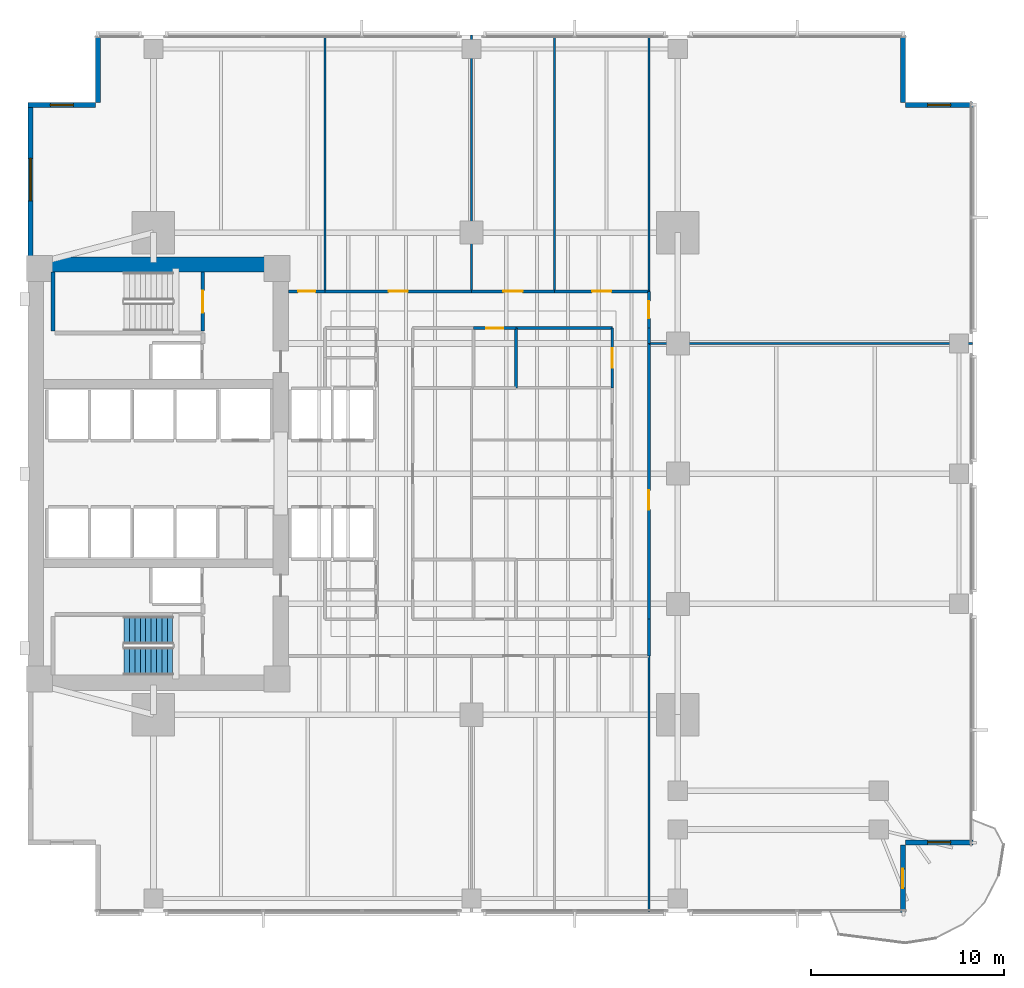
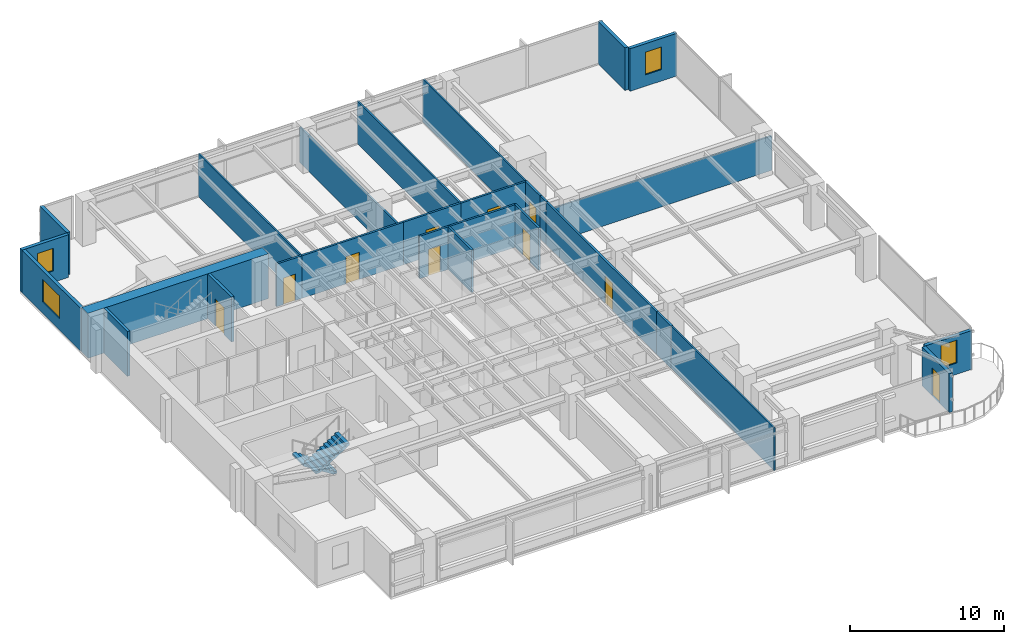
# One storey, part 10 of 15: 28 walls, 10 doors, 4 windows, 2 stair flights, 14 openings, 1 element without a shape of its own.
"""IFC4 building model written with IfcOpenShell, lengths in metres."""

from ifc_helpers import new_model, si_unit, direction, frame, frame_2d, origin, place, context, subcontext, project, spatial, polyline, rectangle, outline, extrude, material, layer, layer_set, type_object, element, fill, aggregate, save


model = new_model("IFC4")

# Units and contexts
model_context = context("Model", 3, precision=1e-05, world=origin(), true_north=direction((0.0, 1.0)))
body_context = subcontext(model_context, "Body", "Model", "MODEL_VIEW")
ifc_project = project(units=[si_unit("LENGTHUNIT", "METRE"), si_unit("AREAUNIT", "SQUARE_METRE"), si_unit("VOLUMEUNIT", "CUBIC_METRE"), si_unit("PLANEANGLEUNIT", "RADIAN"), si_unit("MASSUNIT", "GRAM", prefix="KILO")], contexts=[model_context])

# Site, building, storey
site_placement = place(None, origin())
site = spatial("IfcSite", under=ifc_project, at=site_placement, CompositionType="ELEMENT")
building_placement = place(site_placement, origin())
building = spatial("IfcBuilding", under=site, at=building_placement, Name="Kinhvarn Gate Tower", CompositionType="ELEMENT")
storey_placement = place(building_placement, frame((0.0, 0.0, 71.75)))
storey = spatial("IfcBuildingStorey", under=building, at=storey_placement, Name="L18", CompositionType="ELEMENT", Elevation=71.75)

# Wall
ifc_material_1 = material(Name="Concrete C70/85", Category="concrete")
ifc_layer_1 = layer(ifc_material_1, 0.800048828125)
ifc_layer_set_1 = layer_set([ifc_layer_1], Name="Concrete C70/85")
wall_type_1 = type_object("IfcWallType", Name="WL-CORE-800", PredefinedType="SHEAR", material=ifc_layer_set_1)
wall_1_placement = place(storey_placement, frame((4.5, 36.10009765625, 0.0), z_axis=(0.0, 0.0, 1.0), x_axis=(1.0, 0.0, 0.0)))
element("IfcWall", 1, at=wall_1_placement, inside=storey, type_object=wall_type_1, Name="Core North Shear Wall L18 800 mm", PredefinedType="SHEAR", context=body_context, shape_type="SweptSolid", body=[
    extrude(rectangle(XDim=13.5, YDim=0.800048828125, at=frame_2d((6.75, 0.0))), origin(), (0.0, 0.0, 1.0), 3.550048828125),
])

# Wall, opening, window
ifc_material_2 = material(Name="Fired architectural terracotta", Category="masonry")
ifc_layer_2 = layer(ifc_material_2, 0.25)
ifc_layer_set_2 = layer_set([ifc_layer_2], Name="Fired architectural terracotta")
wall_type_2 = type_object("IfcWallType", Name="WL-EXT-250", PredefinedType="SOLIDWALL", material=ifc_layer_set_2)
wall_2_placement = place(storey_placement, frame((4.625, 44.5, 0.0), z_axis=(0.0, 0.0, 1.0), x_axis=(0.0, -1.0, 0.0)))
wall_2 = element("IfcWall", 2, at=wall_2_placement, inside=storey, type_object=wall_type_2, Name="Exterior Solidwall Wall EW-250 (L18 West-North)", PredefinedType="SOLIDWALL", context=body_context, shape_type="SweptSolid", body=[
    extrude(rectangle(XDim=8.0, YDim=0.25, at=frame_2d((4.0, 0.0))), origin(), (0.0, 0.0, 1.0), 3.3701171875),
])
opening_1_placement = place(wall_2_placement, frame((2.89990234375, 0.0, 0.89990234375)))
opening_1 = element("IfcOpeningElement", 3, at=opening_1_placement, cuts=wall_2, Name="Opening WN-01", PredefinedType="OPENING", context=body_context, shape_type="SweptSolid", body=[
    extrude(rectangle(XDim=2.199951171875, YDim=1.800048828125, at=frame_2d((1.10009765625, 0.89990234375))), frame((0.0, 0.135009765625, 0.0), z_axis=(0.0, -1.0, 0.0), x_axis=(1.0, 0.0, 0.0)), (0.0, 0.0, 1.0), 0.27001953125),
])
ifc_material_3 = material(Name="Clear low-e double glazing", Category="glass")
window_type_1 = type_object("IfcWindowType", Name="WIN-RIB-2200", PartitioningType="SINGLE_PANEL", PredefinedType="WINDOW", material=ifc_material_3)
window_1_placement = place(opening_1_placement, origin())
window_1 = element("IfcWindow", 4, at=window_1_placement, inside=storey, type_object=window_type_1, Name="West Flank Double-Glazed Ribbon Window 2200x1800 mm (L18)", OverallHeight=1.800048828125, OverallWidth=2.199951171875, PartitioningType="SINGLE_PANEL", PredefinedType="WINDOW", context=body_context, shape_type="SweptSolid", body=[
    extrude(rectangle(XDim=2.199951171875, YDim=1.800048828125, at=frame_2d((1.10009765625, 0.89990234375))), frame((0.0, 0.030029296875, 0.0), z_axis=(0.0, -1.0, 0.0), x_axis=(1.0, 0.0, 0.0)), (0.0, 0.0, 1.0), 0.06005859375),
])
fill(opening_1, window_1)

# Wall, opening, door
wall_3_placement = place(storey_placement, frame((49.875, 2.5, 0.0), z_axis=(0.0, 0.0, 1.0), x_axis=(0.0, 1.0, 0.0)))
wall_3 = element("IfcWall", 5, at=wall_3_placement, inside=storey, type_object=wall_type_2, Name="Exterior Solidwall Wall EW-250 (L18 SE-Notch-Door)", PredefinedType="SOLIDWALL", context=body_context, shape_type="SweptSolid", body=[
    extrude(rectangle(XDim=3.5, YDim=0.25, at=frame_2d((1.75, 0.0))), origin(), (0.0, 0.0, 1.0), 3.070068359375),
])
opening_2_placement = place(wall_3_placement, frame((1.25, 0.0, 0.0)))
opening_2 = element("IfcOpeningElement", 6, at=opening_2_placement, cuts=wall_3, Name="Opening BD-01", PredefinedType="OPENING", context=body_context, shape_type="SweptSolid", body=[
    extrude(rectangle(XDim=1.0, YDim=2.199951171875, at=frame_2d((0.5, 1.10009765625))), frame((0.0, 0.135009765625, 0.0), z_axis=(0.0, -1.0, 0.0), x_axis=(1.0, 0.0, 0.0)), (0.0, 0.0, 1.0), 0.27001953125),
])
door_type_1 = type_object("IfcDoorType", Name="DR-BAL-1000", OperationType="NOTDEFINED", PredefinedType="DOOR", material=ifc_material_3)
door_1_placement = place(opening_2_placement, frame((1.0, 0.0, 0.0), z_axis=(0.0, 0.0, 1.0), x_axis=(-1.0, 0.0, 0.0)))
door_1 = element("IfcDoor", 7, at=door_1_placement, inside=storey, type_object=door_type_1, Name="S-Carve Balcony Door BD-01 (L18)", OperationType="SINGLE_SWING_LEFT", OverallHeight=2.199951171875, OverallWidth=1.0, PredefinedType="DOOR", context=body_context, shape_type="SweptSolid", body=[
    extrude(rectangle(XDim=1.0, YDim=2.199951171875, at=frame_2d((0.5, 1.10009765625))), frame((0.0, 0.02490234375, 0.0), z_axis=(0.0, -1.0, 0.0), x_axis=(1.0, 0.0, 0.0)), (0.0, 0.0, 1.0), 0.050048828125),
])
fill(opening_2, door_1)

# Wall, opening, window
wall_4_placement = place(storey_placement, frame((50.0, 6.125, 0.0), z_axis=(0.0, 0.0, 1.0), x_axis=(1.0, 0.0, 0.0)))
wall_4 = element("IfcWall", 8, at=wall_4_placement, inside=storey, type_object=wall_type_2, Name="Exterior Solidwall Wall EW-250 (L18 SE-Notch-Win)", PredefinedType="SOLIDWALL", context=body_context, shape_type="SweptSolid", body=[
    extrude(rectangle(XDim=3.5, YDim=0.25, at=frame_2d((1.75, 0.0))), origin(), (0.0, 0.0, 1.0), 3.070068359375),
])
opening_3_placement = place(wall_4_placement, frame((1.14990234375, 0.0, 0.89990234375)))
opening_3 = element("IfcOpeningElement", 9, at=opening_3_placement, cuts=wall_4, Name="Opening WN-02", PredefinedType="OPENING", context=body_context, shape_type="SweptSolid", body=[
    extrude(rectangle(XDim=1.199951171875, YDim=1.800048828125, at=frame_2d((0.60009765625, 0.89990234375))), frame((0.0, 0.135009765625, 0.0), z_axis=(0.0, -1.0, 0.0), x_axis=(1.0, 0.0, 0.0)), (0.0, 0.0, 1.0), 0.27001953125),
])
window_type_2 = type_object("IfcWindowType", Name="WIN-NTC-1200", PartitioningType="SINGLE_PANEL", PredefinedType="WINDOW", material=ifc_material_3)
window_2_placement = place(opening_3_placement, origin())
window_2 = element("IfcWindow", 10, at=window_2_placement, inside=storey, type_object=window_type_2, Name="Recessed Corner Notch Punched Window 1200x1800 mm (L18)", OverallHeight=1.800048828125, OverallWidth=1.199951171875, PartitioningType="SINGLE_PANEL", PredefinedType="WINDOW", context=body_context, shape_type="SweptSolid", body=[
    extrude(rectangle(XDim=1.199951171875, YDim=1.800048828125, at=frame_2d((0.60009765625, 0.89990234375))), frame((0.0, 0.030029296875, 0.0), z_axis=(0.0, -1.0, 0.0), x_axis=(1.0, 0.0, 0.0)), (0.0, 0.0, 1.0), 0.06005859375),
])
fill(opening_3, window_2)

wall_5_placement = place(storey_placement, frame((53.5, 44.375, 0.0), z_axis=(0.0, 0.0, 1.0), x_axis=(-1.0, 0.0, 0.0)))
wall_5 = element("IfcWall", 11, at=wall_5_placement, inside=storey, type_object=wall_type_2, Name="Exterior Solidwall Wall EW-250 (L18 NE-Notch-1)", PredefinedType="SOLIDWALL", context=body_context, shape_type="SweptSolid", body=[
    extrude(rectangle(XDim=3.5, YDim=0.25, at=frame_2d((1.75, 0.0))), origin(), (0.0, 0.0, 1.0), 3.3701171875),
])
opening_4_placement = place(wall_5_placement, frame((1.14990234375, 0.0, 0.89990234375)))
opening_4 = element("IfcOpeningElement", 12, at=opening_4_placement, cuts=wall_5, Name="Opening WN-02", PredefinedType="OPENING", context=body_context, shape_type="SweptSolid", body=[
    extrude(rectangle(XDim=1.199951171875, YDim=1.800048828125, at=frame_2d((0.60009765625, 0.89990234375))), frame((0.0, 0.135009765625, 0.0), z_axis=(0.0, -1.0, 0.0), x_axis=(1.0, 0.0, 0.0)), (0.0, 0.0, 1.0), 0.27001953125),
])
window_3_placement = place(opening_4_placement, origin())
window_3 = element("IfcWindow", 13, at=window_3_placement, inside=storey, type_object=window_type_2, Name="Recessed Corner Notch Punched Window 1200x1800 mm (L18)", OverallHeight=1.800048828125, OverallWidth=1.199951171875, PartitioningType="SINGLE_PANEL", PredefinedType="WINDOW", context=body_context, shape_type="SweptSolid", body=[
    extrude(rectangle(XDim=1.199951171875, YDim=1.800048828125, at=frame_2d((0.60009765625, 0.89990234375))), frame((0.0, 0.030029296875, 0.0), z_axis=(0.0, -1.0, 0.0), x_axis=(1.0, 0.0, 0.0)), (0.0, 0.0, 1.0), 0.06005859375),
])
fill(opening_4, window_3)

# Walls
for number, where, z_axis, x_axis, name in (
    (14, (49.875, 44.5, 0.0), (0.0, 0.0, 1.0), (0.0, 1.0, 0.0), "Exterior Solidwall Wall EW-250 (L18 NE-Notch-2)"),
    (15, (8.125, 48.0, 0.0), (0.0, 0.0, 1.0), (0.0, -1.0, 0.0), "Exterior Solidwall Wall EW-250 (L18 NW-Notch-1)"),
):
    element("IfcWall", number, at=place(storey_placement, frame(where, z_axis=z_axis, x_axis=x_axis)), inside=storey, type_object=wall_type_2, Name=name, PredefinedType="SOLIDWALL", context=body_context, shape_type="SweptSolid", body=[
        extrude(rectangle(XDim=3.5, YDim=0.25, at=frame_2d((1.75, 0.0))), origin(), (0.0, 0.0, 1.0), 3.3701171875),
    ])

# Wall, opening, window
wall_6_placement = place(storey_placement, frame((8.0, 44.375, 0.0), z_axis=(0.0, 0.0, 1.0), x_axis=(-1.0, 0.0, 0.0)))
wall_6 = element("IfcWall", 16, at=wall_6_placement, inside=storey, type_object=wall_type_2, Name="Exterior Solidwall Wall EW-250 (L18 NW-Notch-2)", PredefinedType="SOLIDWALL", context=body_context, shape_type="SweptSolid", body=[
    extrude(rectangle(XDim=3.5, YDim=0.25, at=frame_2d((1.75, 0.0))), origin(), (0.0, 0.0, 1.0), 3.3701171875),
])
opening_5_placement = place(wall_6_placement, frame((1.14990234375, 0.0, 0.89990234375)))
opening_5 = element("IfcOpeningElement", 17, at=opening_5_placement, cuts=wall_6, Name="Opening WN-02", PredefinedType="OPENING", context=body_context, shape_type="SweptSolid", body=[
    extrude(rectangle(XDim=1.199951171875, YDim=1.800048828125, at=frame_2d((0.60009765625, 0.89990234375))), frame((0.0, 0.135009765625, 0.0), z_axis=(0.0, -1.0, 0.0), x_axis=(1.0, 0.0, 0.0)), (0.0, 0.0, 1.0), 0.27001953125),
])
window_4_placement = place(opening_5_placement, origin())
window_4 = element("IfcWindow", 18, at=window_4_placement, inside=storey, type_object=window_type_2, Name="Recessed Corner Notch Punched Window 1200x1800 mm (L18)", OverallHeight=1.800048828125, OverallWidth=1.199951171875, PartitioningType="SINGLE_PANEL", PredefinedType="WINDOW", context=body_context, shape_type="SweptSolid", body=[
    extrude(rectangle(XDim=1.199951171875, YDim=1.800048828125, at=frame_2d((0.60009765625, 0.89990234375))), frame((0.0, 0.030029296875, 0.0), z_axis=(0.0, -1.0, 0.0), x_axis=(1.0, 0.0, 0.0)), (0.0, 0.0, 1.0), 0.06005859375),
])
fill(opening_5, window_4)

# Wall
ifc_material_4 = material(Name="Gypsum acoustic partition board")
ifc_layer_3 = layer(ifc_material_4, 0.14990234375)
ifc_layer_set_3 = layer_set([ifc_layer_3], Name="Gypsum acoustic partition board")
wall_type_3 = type_object("IfcWallType", Name="WL-PLM-150", PredefinedType="PLUMBINGWALL", material=ifc_layer_set_3)
wall_7_placement = place(storey_placement, frame((29.800048828125, 29.699951171875, 0.0), z_axis=(0.0, 0.0, 1.0), x_axis=(0.0, 1.0, 0.0)))
element("IfcWall", 19, at=wall_7_placement, inside=storey, type_object=wall_type_3, Name="Interior Partition PLW-150 (L18)", PredefinedType="PLUMBINGWALL", context=body_context, shape_type="SweptSolid", body=[
    extrude(rectangle(XDim=3.10009765625, YDim=0.14990234375, at=frame_2d((1.550048828125, 0.0))), origin(), (0.0, 0.0, 1.0), 3.3701171875),
])

# Wall, opening, door
ifc_layer_4 = layer(ifc_material_4, 0.14990234375)
ifc_layer_set_4 = layer_set([ifc_layer_4], Name="Gypsum acoustic partition board")
wall_type_4 = type_object("IfcWallType", Name="WL-PLM-150F", PredefinedType="PLUMBINGWALL", material=ifc_layer_set_4)
wall_8_placement = place(storey_placement, frame((27.60009765625, 32.800048828125, 0.0), z_axis=(0.0, 0.0, 1.0), x_axis=(1.0, 0.0, 0.0)))
wall_8 = element("IfcWall", 20, at=wall_8_placement, inside=storey, type_object=wall_type_4, Name="Interior Partition PLW-150F (L18)", PredefinedType="PLUMBINGWALL", context=body_context, shape_type="SweptSolid", body=[
    extrude(rectangle(XDim=2.199951171875, YDim=0.14990234375, at=frame_2d((1.10009765625, 0.0))), origin(), (0.0, 0.0, 1.0), 3.3701171875),
])
opening_6_placement = place(wall_8_placement, frame((0.64990234375, 0.0, 0.0)))
opening_6 = element("IfcOpeningElement", 21, at=opening_6_placement, cuts=wall_8, Name="Opening FD-04", PredefinedType="OPENING", context=body_context, shape_type="SweptSolid", body=[
    extrude(rectangle(XDim=0.89990234375, YDim=2.10009765625, at=frame_2d((0.449951171875, 1.050048828125))), frame((0.0, 0.0849609375, 0.0), z_axis=(0.0, -1.0, 0.0), x_axis=(1.0, 0.0, 0.0)), (0.0, 0.0, 1.0), 0.169921875),
])
ifc_material_5 = material(Name="Anodised aluminium AW-6063", Category="aluminium")
door_type_2 = type_object("IfcDoorType", Name="DR-FD-900", OperationType="NOTDEFINED", PredefinedType="DOOR", material=ifc_material_5)
door_2_placement = place(opening_6_placement, origin())
door_2 = element("IfcDoor", 22, at=door_2_placement, inside=storey, type_object=door_type_2, Name="Rated Riser & Service Closet Fire Door 900x2100 mm (L18)", OperationType="SINGLE_SWING_RIGHT", OverallHeight=2.10009765625, OverallWidth=0.89990234375, PredefinedType="DOOR", context=body_context, shape_type="SweptSolid", body=[
    extrude(rectangle(XDim=0.89990234375, YDim=2.10009765625, at=frame_2d((0.449951171875, 1.050048828125))), frame((0.0, 0.02490234375, 0.0), z_axis=(0.0, -1.0, 0.0), x_axis=(1.0, 0.0, 0.0)), (0.0, 0.0, 1.0), 0.050048828125),
])
fill(opening_6, door_2)

# Walls
ifc_layer_5 = layer(ifc_material_4, 0.1201171875)
ifc_layer_set_5 = layer_set([ifc_layer_5], Name="Gypsum acoustic partition board")
wall_type_5 = type_object("IfcWallType", Name="WL-PRT-120", PredefinedType="PARTITIONING", material=ifc_layer_set_5)
for number, where, z_axis, x_axis, name in (
    (23, (36.699951171875, 2.510009765625, 0.0), (0.0, 0.0, 1.0), (0.0, 1.0, 0.0), "Interior Partition PW-120 (L18)"),
    (24, (19.89990234375, 34.699951171875, 0.0), (0.0, 0.0, 1.0), (0.0, 1.0, 0.0), "Interior Partition PW-120 (L18)"),
):
    element("IfcWall", number, at=place(storey_placement, frame(where, z_axis=z_axis, x_axis=x_axis)), inside=storey, type_object=wall_type_5, Name=name, PredefinedType="PARTITIONING", context=body_context, shape_type="SweptSolid", body=[
        extrude(rectangle(XDim=13.2900390625, YDim=0.1201171875, at=frame_2d((6.64501953125, 0.0))), origin(), (0.0, 0.0, 1.0), 3.3701171875),
    ])
wall_9_placement = place(storey_placement, frame((27.5, 34.699951171875, 0.0), z_axis=(0.0, 0.0, 1.0), x_axis=(0.0, 1.0, 0.0)))
element("IfcWall", 25, at=wall_9_placement, inside=storey, type_object=wall_type_5, Name="Interior Partition PW-120 (L18)", PredefinedType="PARTITIONING", context=body_context, shape_type="SweptSolid", body=[
    extrude(rectangle(XDim=13.2900390625, YDim=0.1201171875, at=frame_2d((6.64501953125, 0.0))), origin(), (0.0, 0.0, 1.0), 2.820068359375),
])
for number, where, z_axis, x_axis, name in (
    (26, (31.800048828125, 34.699951171875, 0.0), (0.0, 0.0, 1.0), (0.0, 1.0, 0.0), "Interior Partition PW-120 (L18)"),
    (27, (36.699951171875, 34.699951171875, 0.0), (0.0, 0.0, 1.0), (0.0, 1.0, 0.0), "Interior Partition PW-120 (L18)"),
):
    element("IfcWall", number, at=place(storey_placement, frame(where, z_axis=z_axis, x_axis=x_axis)), inside=storey, type_object=wall_type_5, Name=name, PredefinedType="PARTITIONING", context=body_context, shape_type="SweptSolid", body=[
        extrude(rectangle(XDim=13.2900390625, YDim=0.1201171875, at=frame_2d((6.64501953125, 0.0))), origin(), (0.0, 0.0, 1.0), 3.3701171875),
    ])
wall_10_placement = place(storey_placement, frame((36.699951171875, 32.0, 0.0), z_axis=(0.0, 0.0, 1.0), x_axis=(1.0, 0.0, 0.0)))
element("IfcWall", 28, at=wall_10_placement, inside=storey, type_object=wall_type_5, Name="Interior Partition PW-120 (L18)", PredefinedType="PARTITIONING", context=body_context, shape_type="SweptSolid", body=[
    extrude(rectangle(XDim=16.7900390625, YDim=0.1201171875, at=frame_2d((8.39501953125, 0.0))), origin(), (0.0, 0.0, 1.0), 2.719970703125),
])
ifc_layer_6 = layer(ifc_material_4, 0.14990234375)
ifc_layer_set_6 = layer_set([ifc_layer_6], Name="Gypsum acoustic partition board")
wall_type_6 = type_object("IfcWallType", Name="WL-PRT-150F", PredefinedType="PARTITIONING", material=ifc_layer_set_6)
wall_11_placement = place(storey_placement, frame((36.699951171875, 15.800048828125, 0.0), z_axis=(0.0, 0.0, 1.0), x_axis=(0.0, 1.0, 0.0)))
element("IfcWall", 29, at=wall_11_placement, inside=storey, type_object=wall_type_6, Name="Interior Partition PW-150F (L18)", PredefinedType="PARTITIONING", context=body_context, shape_type="SweptSolid", body=[
    extrude(rectangle(XDim=1.89990234375, YDim=0.14990234375, at=frame_2d((0.949951171875, 0.0))), origin(), (0.0, 0.0, 1.0), 3.3701171875),
])
wall_12_placement = place(storey_placement, frame((29.800048828125, 32.800048828125, 0.0), z_axis=(0.0, 0.0, 1.0), x_axis=(1.0, 0.0, 0.0)))
element("IfcWall", 30, at=wall_12_placement, inside=storey, type_object=wall_type_6, Name="Interior Partition PW-150F (L18)", PredefinedType="PARTITIONING", context=body_context, shape_type="SweptSolid", body=[
    extrude(rectangle(XDim=5.0, YDim=0.14990234375, at=frame_2d((2.5, 0.0))), origin(), (0.0, 0.0, 1.0), 3.3701171875),
])

# Wall, opening, door
wall_13_placement = place(storey_placement, frame((18.0, 34.699951171875, 0.0), z_axis=(0.0, 0.0, 1.0), x_axis=(1.0, 0.0, 0.0)))
wall_13 = element("IfcWall", 31, at=wall_13_placement, inside=storey, type_object=wall_type_6, Name="Interior Partition PW-150F (L18)", PredefinedType="PARTITIONING", context=body_context, shape_type="SweptSolid", body=[
    extrude(rectangle(XDim=1.89990234375, YDim=0.14990234375, at=frame_2d((0.949951171875, 0.0))), origin(), (0.0, 0.0, 1.0), 3.3701171875),
])
opening_7_placement = place(wall_13_placement, frame((0.5, 0.0, 0.0)))
opening_7 = element("IfcOpeningElement", 32, at=opening_7_placement, cuts=wall_13, Name="Opening ID-03", PredefinedType="OPENING", context=body_context, shape_type="SweptSolid", body=[
    extrude(rectangle(XDim=0.89990234375, YDim=2.10009765625, at=frame_2d((0.449951171875, 1.050048828125))), frame((0.0, 0.0849609375, 0.0), z_axis=(0.0, -1.0, 0.0), x_axis=(1.0, 0.0, 0.0)), (0.0, 0.0, 1.0), 0.169921875),
])
door_type_3 = type_object("IfcDoorType", Name="DR-INT-900", OperationType="NOTDEFINED", PredefinedType="DOOR", material=ifc_material_5)
door_3_placement = place(opening_7_placement, origin())
door_3 = element("IfcDoor", 33, at=door_3_placement, inside=storey, type_object=door_type_3, Name="Cellular Office & Restroom Door 900x2100 mm (L18)", OperationType="SINGLE_SWING_LEFT", OverallHeight=2.10009765625, OverallWidth=0.89990234375, PredefinedType="DOOR", context=body_context, shape_type="SweptSolid", body=[
    extrude(rectangle(XDim=0.89990234375, YDim=2.10009765625, at=frame_2d((0.449951171875, 1.050048828125))), frame((0.0, 0.02490234375, 0.0), z_axis=(0.0, -1.0, 0.0), x_axis=(1.0, 0.0, 0.0)), (0.0, 0.0, 1.0), 0.050048828125),
])
fill(opening_7, door_3)

wall_14_placement = place(storey_placement, frame((19.89990234375, 34.699951171875, 0.0), z_axis=(0.0, 0.0, 1.0), x_axis=(1.0, 0.0, 0.0)))
wall_14 = element("IfcWall", 34, at=wall_14_placement, inside=storey, type_object=wall_type_6, Name="Interior Partition PW-150F (L18)", PredefinedType="PARTITIONING", context=body_context, shape_type="SweptSolid", body=[
    extrude(rectangle(XDim=7.60009765625, YDim=0.14990234375, at=frame_2d((3.800048828125, 0.0))), origin(), (0.0, 0.0, 1.0), 3.3701171875),
])
opening_8_placement = place(wall_14_placement, frame((3.300048828125, 0.0, 0.0)))
opening_8 = element("IfcOpeningElement", 35, at=opening_8_placement, cuts=wall_14, Name="Opening ID-02", PredefinedType="OPENING", context=body_context, shape_type="SweptSolid", body=[
    extrude(rectangle(XDim=1.0, YDim=2.14990234375, at=frame_2d((0.5, 1.074951171875))), frame((0.0, 0.0849609375, 0.0), z_axis=(0.0, -1.0, 0.0), x_axis=(1.0, 0.0, 0.0)), (0.0, 0.0, 1.0), 0.169921875),
])
door_type_4 = type_object("IfcDoorType", Name="DR-INT-1000", OperationType="NOTDEFINED", PredefinedType="DOOR", material=ifc_material_5)
door_4_placement = place(opening_8_placement, origin())
door_4 = element("IfcDoor", 36, at=door_4_placement, inside=storey, type_object=door_type_4, Name="Standard Office & Meeting Room Door 1000x2150 mm (L18)", OperationType="SINGLE_SWING_RIGHT", OverallHeight=2.14990234375, OverallWidth=1.0, PredefinedType="DOOR", context=body_context, shape_type="SweptSolid", body=[
    extrude(rectangle(XDim=1.0, YDim=2.14990234375, at=frame_2d((0.5, 1.074951171875))), frame((0.0, 0.02490234375, 0.0), z_axis=(0.0, -1.0, 0.0), x_axis=(1.0, 0.0, 0.0)), (0.0, 0.0, 1.0), 0.050048828125),
])
fill(opening_8, door_4)

wall_15_placement = place(storey_placement, frame((27.5, 34.699951171875, 0.0), z_axis=(0.0, 0.0, 1.0), x_axis=(1.0, 0.0, 0.0)))
wall_15 = element("IfcWall", 37, at=wall_15_placement, inside=storey, type_object=wall_type_6, Name="Interior Partition PW-150F (L18)", PredefinedType="PARTITIONING", context=body_context, shape_type="SweptSolid", body=[
    extrude(rectangle(XDim=4.300048828125, YDim=0.14990234375, at=frame_2d((2.14990234375, 0.0))), origin(), (0.0, 0.0, 1.0), 3.3701171875),
])
opening_9_placement = place(wall_15_placement, frame((1.64990234375, 0.0, 0.0)))
opening_9 = element("IfcOpeningElement", 38, at=opening_9_placement, cuts=wall_15, Name="Opening ID-02", PredefinedType="OPENING", context=body_context, shape_type="SweptSolid", body=[
    extrude(rectangle(XDim=1.0, YDim=2.14990234375, at=frame_2d((0.5, 1.074951171875))), frame((0.0, 0.0849609375, 0.0), z_axis=(0.0, -1.0, 0.0), x_axis=(1.0, 0.0, 0.0)), (0.0, 0.0, 1.0), 0.169921875),
])
door_5_placement = place(opening_9_placement, origin())
door_5 = element("IfcDoor", 39, at=door_5_placement, inside=storey, type_object=door_type_4, Name="Standard Office & Meeting Room Door 1000x2150 mm (L18)", OperationType="SINGLE_SWING_LEFT", OverallHeight=2.14990234375, OverallWidth=1.0, PredefinedType="DOOR", context=body_context, shape_type="SweptSolid", body=[
    extrude(rectangle(XDim=1.0, YDim=2.14990234375, at=frame_2d((0.5, 1.074951171875))), frame((0.0, 0.02490234375, 0.0), z_axis=(0.0, -1.0, 0.0), x_axis=(1.0, 0.0, 0.0)), (0.0, 0.0, 1.0), 0.050048828125),
])
fill(opening_9, door_5)

wall_16_placement = place(storey_placement, frame((31.800048828125, 34.699951171875, 0.0), z_axis=(0.0, 0.0, 1.0), x_axis=(1.0, 0.0, 0.0)))
wall_16 = element("IfcWall", 40, at=wall_16_placement, inside=storey, type_object=wall_type_6, Name="Interior Partition PW-150F (L18)", PredefinedType="PARTITIONING", context=body_context, shape_type="SweptSolid", body=[
    extrude(rectangle(XDim=4.89990234375, YDim=0.14990234375, at=frame_2d((2.449951171875, 0.0))), origin(), (0.0, 0.0, 1.0), 3.3701171875),
])
opening_10_placement = place(wall_16_placement, frame((1.949951171875, 0.0, 0.0)))
opening_10 = element("IfcOpeningElement", 41, at=opening_10_placement, cuts=wall_16, Name="Opening ID-02", PredefinedType="OPENING", context=body_context, shape_type="SweptSolid", body=[
    extrude(rectangle(XDim=1.0, YDim=2.14990234375, at=frame_2d((0.5, 1.074951171875))), frame((0.0, 0.0849609375, 0.0), z_axis=(0.0, -1.0, 0.0), x_axis=(1.0, 0.0, 0.0)), (0.0, 0.0, 1.0), 0.169921875),
])
door_6_placement = place(opening_10_placement, origin())
door_6 = element("IfcDoor", 42, at=door_6_placement, inside=storey, type_object=door_type_4, Name="Standard Office & Meeting Room Door 1000x2150 mm (L18)", OperationType="SINGLE_SWING_RIGHT", OverallHeight=2.14990234375, OverallWidth=1.0, PredefinedType="DOOR", context=body_context, shape_type="SweptSolid", body=[
    extrude(rectangle(XDim=1.0, YDim=2.14990234375, at=frame_2d((0.5, 1.074951171875))), frame((0.0, 0.02490234375, 0.0), z_axis=(0.0, -1.0, 0.0), x_axis=(1.0, 0.0, 0.0)), (0.0, 0.0, 1.0), 0.050048828125),
])
fill(opening_10, door_6)

wall_17_placement = place(storey_placement, frame((36.699951171875, 32.800048828125, 0.0), z_axis=(0.0, 0.0, 1.0), x_axis=(0.0, 1.0, 0.0)))
wall_17 = element("IfcWall", 43, at=wall_17_placement, inside=storey, type_object=wall_type_6, Name="Interior Partition PW-150F (L18)", PredefinedType="PARTITIONING", context=body_context, shape_type="SweptSolid", body=[
    extrude(rectangle(XDim=1.89990234375, YDim=0.14990234375, at=frame_2d((0.949951171875, 0.0))), origin(), (0.0, 0.0, 1.0), 3.3701171875),
])
opening_11_placement = place(wall_17_placement, frame((0.5, 0.0, 0.0)))
opening_11 = element("IfcOpeningElement", 44, at=opening_11_placement, cuts=wall_17, Name="Opening ID-03", PredefinedType="OPENING", context=body_context, shape_type="SweptSolid", body=[
    extrude(rectangle(XDim=0.89990234375, YDim=2.10009765625, at=frame_2d((0.449951171875, 1.050048828125))), frame((0.0, 0.0849609375, 0.0), z_axis=(0.0, -1.0, 0.0), x_axis=(1.0, 0.0, 0.0)), (0.0, 0.0, 1.0), 0.169921875),
])
door_7_placement = place(opening_11_placement, origin())
door_7 = element("IfcDoor", 45, at=door_7_placement, inside=storey, type_object=door_type_3, Name="Cellular Office & Restroom Door 900x2100 mm (L18)", OperationType="SINGLE_SWING_LEFT", OverallHeight=2.10009765625, OverallWidth=0.89990234375, PredefinedType="DOOR", context=body_context, shape_type="SweptSolid", body=[
    extrude(rectangle(XDim=0.89990234375, YDim=2.10009765625, at=frame_2d((0.449951171875, 1.050048828125))), frame((0.0, 0.02490234375, 0.0), z_axis=(0.0, -1.0, 0.0), x_axis=(1.0, 0.0, 0.0)), (0.0, 0.0, 1.0), 0.050048828125),
])
fill(opening_11, door_7)

wall_18_placement = place(storey_placement, frame((34.800048828125, 29.699951171875, 0.0), z_axis=(0.0, 0.0, 1.0), x_axis=(0.0, 1.0, 0.0)))
wall_18 = element("IfcWall", 46, at=wall_18_placement, inside=storey, type_object=wall_type_6, Name="Interior Partition PW-150F (L18)", PredefinedType="PARTITIONING", context=body_context, shape_type="SweptSolid", body=[
    extrude(rectangle(XDim=3.10009765625, YDim=0.14990234375, at=frame_2d((1.550048828125, 0.0))), origin(), (0.0, 0.0, 1.0), 3.3701171875),
])
opening_12_placement = place(wall_18_placement, frame((1.050048828125, 0.0, 0.0)))
opening_12 = element("IfcOpeningElement", 47, at=opening_12_placement, cuts=wall_18, Name="Opening ID-02", PredefinedType="OPENING", context=body_context, shape_type="SweptSolid", body=[
    extrude(rectangle(XDim=1.0, YDim=2.14990234375, at=frame_2d((0.5, 1.074951171875))), frame((0.0, 0.0849609375, 0.0), z_axis=(0.0, -1.0, 0.0), x_axis=(1.0, 0.0, 0.0)), (0.0, 0.0, 1.0), 0.169921875),
])
door_8_placement = place(opening_12_placement, origin())
door_8 = element("IfcDoor", 48, at=door_8_placement, inside=storey, type_object=door_type_4, Name="Standard Office & Meeting Room Door 1000x2150 mm (L18)", OperationType="SINGLE_SWING_LEFT", OverallHeight=2.14990234375, OverallWidth=1.0, PredefinedType="DOOR", context=body_context, shape_type="SweptSolid", body=[
    extrude(rectangle(XDim=1.0, YDim=2.14990234375, at=frame_2d((0.5, 1.074951171875))), frame((0.0, 0.02490234375, 0.0), z_axis=(0.0, -1.0, 0.0), x_axis=(1.0, 0.0, 0.0)), (0.0, 0.0, 1.0), 0.050048828125),
])
fill(opening_12, door_8)

wall_19_placement = place(storey_placement, frame((36.699951171875, 17.699951171875, 0.0), z_axis=(0.0, 0.0, 1.0), x_axis=(0.0, 1.0, 0.0)))
wall_19 = element("IfcWall", 49, at=wall_19_placement, inside=storey, type_object=wall_type_6, Name="Interior Partition PW-150F (L18)", PredefinedType="PARTITIONING", context=body_context, shape_type="SweptSolid", body=[
    extrude(rectangle(XDim=14.300048828125, YDim=0.14990234375, at=frame_2d((7.14990234375, 0.0))), origin(), (0.0, 0.0, 1.0), 3.3701171875),
])
opening_13_placement = place(wall_19_placement, frame((5.68310546875, 0.0, 0.0)))
opening_13 = element("IfcOpeningElement", 50, at=opening_13_placement, cuts=wall_19, Name="Opening ID-02", PredefinedType="OPENING", context=body_context, shape_type="SweptSolid", body=[
    extrude(rectangle(XDim=1.0, YDim=2.14990234375, at=frame_2d((0.5, 1.074951171875))), frame((0.0, 0.0849609375, 0.0), z_axis=(0.0, -1.0, 0.0), x_axis=(1.0, 0.0, 0.0)), (0.0, 0.0, 1.0), 0.169921875),
])
door_9_placement = place(opening_13_placement, origin())
door_9 = element("IfcDoor", 51, at=door_9_placement, inside=storey, type_object=door_type_4, Name="Standard Office & Meeting Room Door 1000x2150 mm (L18)", OperationType="SINGLE_SWING_LEFT", OverallHeight=2.14990234375, OverallWidth=1.0, PredefinedType="DOOR", context=body_context, shape_type="SweptSolid", body=[
    extrude(rectangle(XDim=1.0, YDim=2.14990234375, at=frame_2d((0.5, 1.074951171875))), frame((0.0, 0.02490234375, 0.0), z_axis=(0.0, -1.0, 0.0), x_axis=(1.0, 0.0, 0.0)), (0.0, 0.0, 1.0), 0.050048828125),
])
fill(opening_13, door_9)

# Walls
wall_20_placement = place(storey_placement, frame((36.699951171875, 32.0, 0.0), z_axis=(0.0, 0.0, 1.0), x_axis=(0.0, 1.0, 0.0)))
element("IfcWall", 52, at=wall_20_placement, inside=storey, type_object=wall_type_6, Name="Interior Partition PW-150F (L18)", PredefinedType="PARTITIONING", context=body_context, shape_type="SweptSolid", body=[
    extrude(rectangle(XDim=0.800048828125, YDim=0.14990234375, at=frame_2d((0.39990234375, 0.0))), origin(), (0.0, 0.0, 1.0), 3.3701171875),
])
ifc_material_6 = material(Name="Concrete C40/50", Category="concrete")
ifc_layer_7 = layer(ifc_material_6, 0.199951171875)
ifc_layer_set_7 = layer_set([ifc_layer_7], Name="Concrete C40/50")
wall_type_7 = type_object("IfcWallType", Name="WL-SHF-200", PredefinedType="SOLIDWALL", material=ifc_layer_set_7)
wall_21_placement = place(storey_placement, frame((5.7900390625, 32.64990234375, 0.0), z_axis=(0.0, 0.0, 1.0), x_axis=(0.0, 1.0, 0.0)))
element("IfcWall", 53, at=wall_21_placement, inside=storey, type_object=wall_type_7, Name="Stair ST2 West Shaft Wall (L18)", PredefinedType="SOLIDWALL", context=body_context, shape_type="SweptSolid", body=[
    extrude(rectangle(XDim=3.050048828125, YDim=0.199951171875, at=frame_2d((1.52490234375, 0.0))), origin(), (0.0, 0.0, 1.0), 3.550048828125),
])

# Wall, opening, door
wall_22_placement = place(storey_placement, frame((13.56005859375, 32.64990234375, 0.0), z_axis=(0.0, 0.0, 1.0), x_axis=(0.0, 1.0, 0.0)))
wall_22 = element("IfcWall", 54, at=wall_22_placement, inside=storey, type_object=wall_type_7, Name="Stair ST2 East Entry Wall (L18)", PredefinedType="SOLIDWALL", context=body_context, shape_type="SweptSolid", body=[
    extrude(rectangle(XDim=3.050048828125, YDim=0.199951171875, at=frame_2d((1.52490234375, 0.0))), origin(), (0.0, 0.0, 1.0), 3.550048828125),
])
opening_14_placement = place(wall_22_placement, frame((0.949951171875, 0.0, 0.0)))
opening_14 = element("IfcOpeningElement", 55, at=opening_14_placement, cuts=wall_22, Name="Opening FD-01", PredefinedType="OPENING", context=body_context, shape_type="SweptSolid", body=[
    extrude(rectangle(XDim=1.14990234375, YDim=2.14990234375, at=frame_2d((0.574951171875, 1.074951171875))), frame((0.0, 0.10986328125, 0.0), z_axis=(0.0, -1.0, 0.0), x_axis=(1.0, 0.0, 0.0)), (0.0, 0.0, 1.0), 0.219970703125),
])
door_type_5 = type_object("IfcDoorType", Name="DR-ST-1150", OperationType="NOTDEFINED", PredefinedType="DOOR", material=ifc_material_5)
door_10_placement = place(opening_14_placement, origin())
door_10 = element("IfcDoor", 56, at=door_10_placement, inside=storey, type_object=door_type_5, Name="Exit Stair ST2 Fire Door (L18)", OperationType="SINGLE_SWING_LEFT", OverallHeight=2.14990234375, OverallWidth=1.14990234375, PredefinedType="DOOR", context=body_context, shape_type="SweptSolid", body=[
    extrude(rectangle(XDim=1.14990234375, YDim=2.14990234375, at=frame_2d((0.574951171875, 1.074951171875))), frame((0.0, 0.02490234375, 0.0), z_axis=(0.0, -1.0, 0.0), x_axis=(1.0, 0.0, 0.0)), (0.0, 0.0, 1.0), 0.050048828125),
])
fill(opening_14, door_10)

# Stair, stair flights
stair_type = type_object("IfcStairType", Name="STR-DLG-177", PredefinedType="HALF_TURN_STAIR", material=ifc_material_6)
stair_placement = place(storey_placement, origin())
stair = element("IfcStair", 57, at=stair_placement, inside=storey, type_object=stair_type, Name="L18 Core Smokeproof Exit Stair ST1", PredefinedType="HALF_TURN_STAIR")
stair_flight_type = type_object("IfcStairFlightType", Name="STF-DLG-177", PredefinedType="STRAIGHT", material=ifc_material_6)
stair_flight_1_placement = place(storey_placement, frame((12.0, 17.125, 0.0), z_axis=(0.0, 0.0, 1.0), x_axis=(-1.0, 0.0, 0.0)))
stair_flight_1 = element("IfcStairFlight", 58, at=stair_flight_1_placement, type_object=stair_flight_type, Name="ST1 flight 1", NumberOfRisers=10, NumberOfTreads=9, PredefinedType="STRAIGHT", RiserHeight=0.1775, TreadLength=0.28, context=body_context, shape_type="SweptSolid", body=[
    extrude(outline(polyline([(0.0, 0.0), (0.0, 0.177490234375), (0.280029296875, 0.177490234375), (0.280029296875, 0.35498046875), (0.56005859375, 0.35498046875), (0.56005859375, 0.532470703125), (0.840087890625, 0.532470703125), (0.840087890625, 0.7099609375), (1.1201171875, 0.7099609375), (1.1201171875, 0.887451171875), (1.39990234375, 0.887451171875), (1.39990234375, 1.06494140625), (1.679931640625, 1.06494140625), (1.679931640625, 1.242431640625), (1.9599609375, 1.242431640625), (1.9599609375, 1.419921875), (2.239990234375, 1.419921875), (2.239990234375, 1.597412109375), (2.52001953125, 1.597412109375), (2.52001953125, 1.77490234375), (2.52001953125, 1.419921875), (0.280029296875, 0.0), (0.0, 0.0)])), frame((0.0, 0.72509765625, 0.0), z_axis=(0.0, -1.0, 0.0), x_axis=(1.0, 0.0, 0.0)), (0.0, 0.0, 1.0), 1.449951171875),
])
stair_flight_2_placement = place(storey_placement, frame((9.47998046875, 15.52490234375, 1.77490234375), z_axis=(0.0, 0.0, 1.0), x_axis=(1.0, 0.0, 0.0)))
stair_flight_2 = element("IfcStairFlight", 59, at=stair_flight_2_placement, type_object=stair_flight_type, Name="ST1 flight 2", NumberOfRisers=10, NumberOfTreads=9, PredefinedType="STRAIGHT", RiserHeight=0.1775, TreadLength=0.28, context=body_context, shape_type="SweptSolid", body=[
    extrude(outline(polyline([(0.0, 0.0), (0.0, 0.177490234375), (0.280029296875, 0.177490234375), (0.280029296875, 0.35498046875), (0.56005859375, 0.35498046875), (0.56005859375, 0.532470703125), (0.840087890625, 0.532470703125), (0.840087890625, 0.7099609375), (1.1201171875, 0.7099609375), (1.1201171875, 0.887451171875), (1.39990234375, 0.887451171875), (1.39990234375, 1.06494140625), (1.679931640625, 1.06494140625), (1.679931640625, 1.242431640625), (1.9599609375, 1.242431640625), (1.9599609375, 1.419921875), (2.239990234375, 1.419921875), (2.239990234375, 1.597412109375), (2.52001953125, 1.597412109375), (2.52001953125, 1.77490234375), (2.52001953125, 1.419921875), (0.280029296875, 0.0), (0.0, 0.0)])), frame((0.0, 0.72509765625, 0.0), z_axis=(0.0, -1.0, 0.0), x_axis=(1.0, 0.0, 0.0)), (0.0, 0.0, 1.0), 1.449951171875),
])
aggregate(stair, [stair_flight_1, stair_flight_2])

save(model, "model.ifc")
